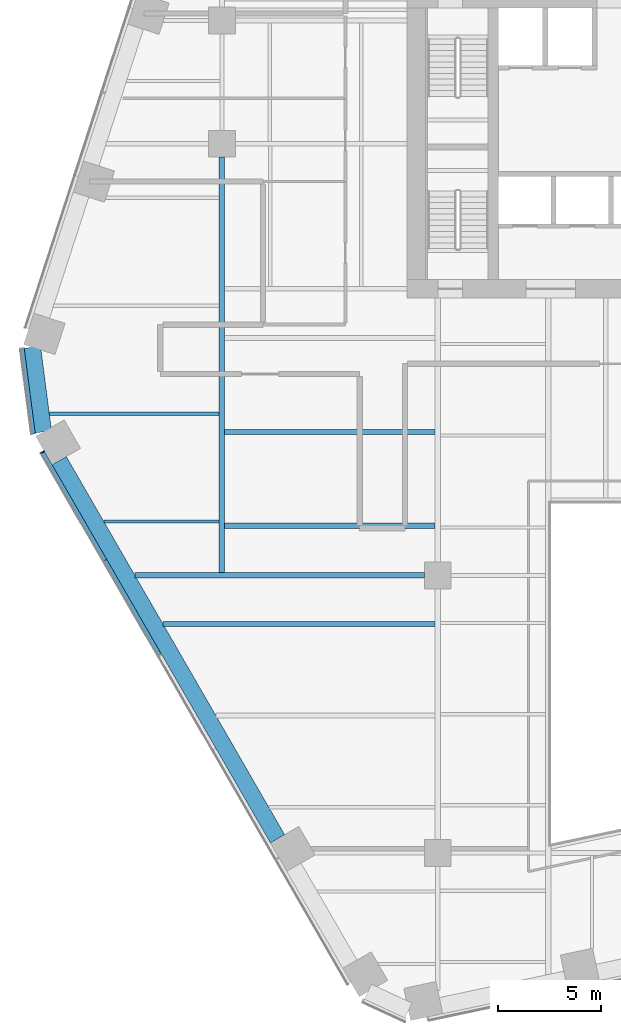
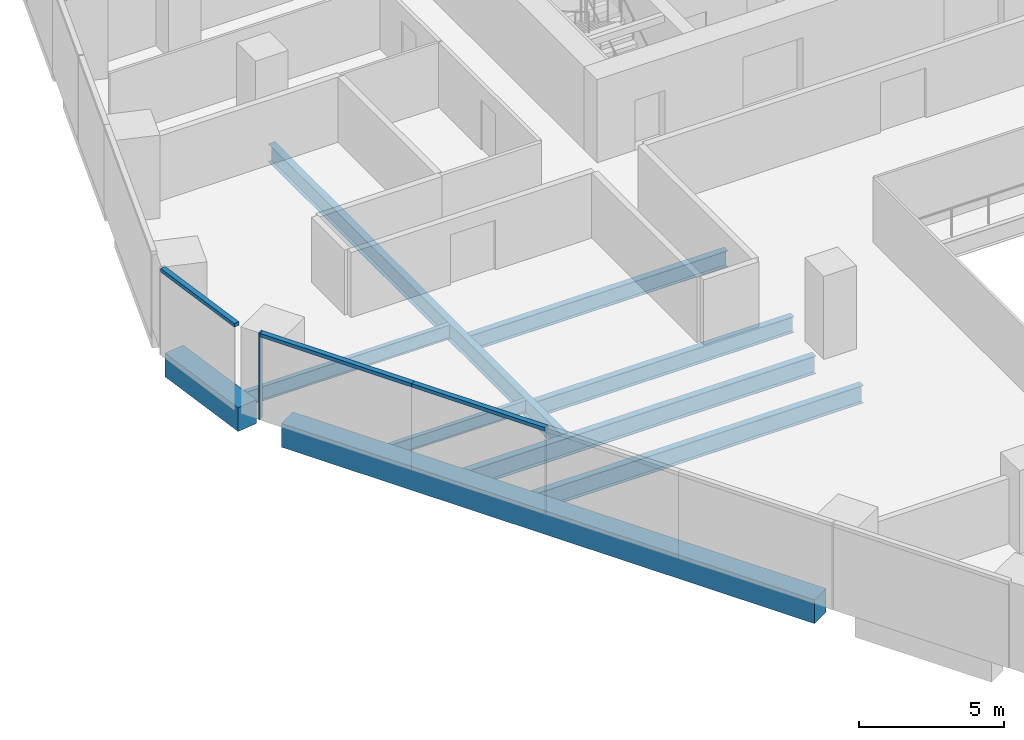
# One storey, part 3 of 21: 9 beams, 4 members, 2 elements without a shape of their own.
"""IFC4 building model written with IfcOpenShell, lengths in metres."""

from ifc_helpers import new_model, si_unit, direction, frame, origin, origin_2d, place, context, subcontext, project, spatial, rectangle, i_section, extrude, material, layer, layer_set, material_profile, profile_set, type_object, element, aggregate, save


model = new_model("IFC4")

# Units and contexts
model_context = context("Model", 3, precision=1e-05, world=origin(), true_north=direction((0.0, 1.0)))
body_context = subcontext(model_context, "Body", "Model", "MODEL_VIEW")
ifc_project = project(units=[si_unit("LENGTHUNIT", "METRE"), si_unit("AREAUNIT", "SQUARE_METRE"), si_unit("VOLUMEUNIT", "CUBIC_METRE"), si_unit("PLANEANGLEUNIT", "RADIAN"), si_unit("MASSUNIT", "GRAM", prefix="KILO")], contexts=[model_context])

# Site, building, storey
site_placement = place(None, origin())
site = spatial("IfcSite", under=ifc_project, at=site_placement, CompositionType="ELEMENT")
building_placement = place(site_placement, origin())
building = spatial("IfcBuilding", under=site, at=building_placement, Name="Isthmus Gate Tower", CompositionType="ELEMENT")
storey_placement = place(building_placement, frame((0.0, 0.0, 102.550048828125)))
storey = spatial("IfcBuildingStorey", under=building, at=storey_placement, Name="L24", CompositionType="ELEMENT", Elevation=102.550048828125)

# Curtain wall, member
ifc_material_1 = material(Name="Aluminium, pale champagne anodised", Category="aluminium")
ifc_layer = layer(ifc_material_1, 0.199951171875)
ifc_layer_set = layer_set([ifc_layer], Name="CW-1 UNITISED CURTAIN WALL 200 DEEP")
curtain_wall_type = type_object("IfcCurtainWallType", Name="CW-1 UNITISED CURTAIN WALL 200 DEEP", PredefinedType="NOTDEFINED", material=ifc_layer_set)
curtain_wall_1_placement = place(storey_placement, origin())
curtain_wall_1 = element("IfcCurtainWall", 1, at=curtain_wall_1_placement, inside=storey, type_object=curtain_wall_type, Name="CW-1 SW L24", PredefinedType="NOTDEFINED")
ifc_material_2 = material(Name="Aluminium, pale champagne anodised", Category="aluminium")
ifc_material_profile_1 = material_profile(ifc_material_2, rectangle(XDim=0.06005859375, YDim=0.199951171875, at=origin_2d()), Name="60x200")
ifc_profile_set_1 = profile_set([ifc_material_profile_1], Name="Aluminium, pale champagne anodised")
member_type_1 = type_object("IfcMemberType", Name="CW-1 MULLION 60 X 200", PredefinedType="MULLION", material=ifc_profile_set_1)
member_1_placement = place(storey_placement, frame((-32.7353515625, -7.500732421875, 0.0), z_axis=(0.0, 0.0, 1.0), x_axis=(0.5, -0.866025403784, 0.0)))
member_1 = element("IfcMember", 2, at=member_1_placement, type_object=member_type_1, Name="CW-1 mullion", PredefinedType="MULLION", context=body_context, shape_type="SweptSolid", body=[
    extrude(rectangle(XDim=0.06005859375, YDim=0.199951171875, at=origin_2d()), origin(), (0.0, 0.0, 1.0), 3.64990234375),
])

curtain_wall_2_placement = place(storey_placement, origin())
curtain_wall_2 = element("IfcCurtainWall", 3, at=curtain_wall_2_placement, inside=storey, type_object=curtain_wall_type, Name="CW-1 NW-SW L24", PredefinedType="NOTDEFINED")
ifc_material_3 = material(Name="Aluminium, pale champagne anodised", Category="aluminium")
ifc_material_profile_2 = material_profile(ifc_material_3, rectangle(XDim=0.199951171875, YDim=0.14990234375, at=origin_2d()), Name="200x150")
ifc_profile_set_2 = profile_set([ifc_material_profile_2], Name="Aluminium, pale champagne anodised")
member_type_2 = type_object("IfcMemberType", Name="CW-1 TRANSOM 200 X 150", PredefinedType="USERDEFINED", material=ifc_profile_set_2)
member_2_placement = place(storey_placement, frame((-33.71923828125, -2.474609375, 3.574951171875), z_axis=(0.129206893318, -0.991617657527, 0.0), x_axis=(0.991617657527, 0.129206893318, 0.0)))
member_2 = element("IfcMember", 4, at=member_2_placement, type_object=member_type_2, Name="CW-1 transom", ObjectType="TRANSOM", PredefinedType="USERDEFINED", context=body_context, shape_type="SweptSolid", body=[
    extrude(rectangle(XDim=0.199951171875, YDim=0.14990234375, at=origin_2d()), origin(), (0.0, 0.0, 1.0), 4.181640625),
])
aggregate(curtain_wall_2, [member_2])

# Member
member_3_placement = place(storey_placement, frame((-32.720458984375, -7.526611328125, 3.574951171875), z_axis=(0.500011280007, -0.866018891171, 0.0), x_axis=(0.866018891171, 0.500011280007, 0.0)))
member_3 = element("IfcMember", 5, at=member_3_placement, type_object=member_type_2, Name="CW-1 transom", ObjectType="TRANSOM", PredefinedType="USERDEFINED", context=body_context, shape_type="SweptSolid", body=[
    extrude(rectangle(XDim=0.199951171875, YDim=0.14990234375, at=origin_2d()), origin(), (0.0, 0.0, 1.0), 6.048583984375),
])

member_4_placement = place(storey_placement, frame((-29.696044921875, -12.764892578125, 3.574951171875), z_axis=(0.499997139945, -0.866027055032, 0.0), x_axis=(0.866027055032, 0.499997139945, 0.0)))
member_4 = element("IfcMember", 6, at=member_4_placement, type_object=member_type_2, Name="CW-1 transom", ObjectType="TRANSOM", PredefinedType="USERDEFINED", context=body_context, shape_type="SweptSolid", body=[
    extrude(rectangle(XDim=0.199951171875, YDim=0.14990234375, at=origin_2d()), origin(), (0.0, 0.0, 1.0), 5.30859375),
])

aggregate(curtain_wall_1, [member_1, member_3, member_4])

# Beams
ifc_material_4 = material(Name="Concrete f'c 70 MPa", Category="concrete")
ifc_material_profile_3 = material_profile(ifc_material_4, rectangle(XDim=0.800048828125, YDim=1.0, at=origin_2d()), Name="RC 800X1000")
ifc_profile_set_3 = profile_set([ifc_material_profile_3], Name="Concrete f'c 70 MPa")
beam_type_1 = type_object("IfcBeamType", Name="RC SPANDREL 800 X 1000", PredefinedType="SPANDREL", material=ifc_profile_set_3)
beam_1_placement = place(storey_placement, frame((-21.300048828125, -26.30712890625, -0.5), z_axis=(-0.499997139945, 0.866027055032, 0.0), x_axis=(-0.866027055032, -0.499997139945, 0.0)))
element("IfcBeam", 7, at=beam_1_placement, inside=storey, type_object=beam_type_1, Name="str-spandrel-L24-16", PredefinedType="SPANDREL", context=body_context, shape_type="SweptSolid", body=[
    extrude(rectangle(XDim=0.800048828125, YDim=1.0, at=origin_2d()), origin(), (0.0, 0.0, 1.0), 21.234375),
])
beam_2_placement = place(storey_placement, frame((-32.6884765625, -6.515380859375, -0.5), z_axis=(-0.129170777359, 0.991622362735, 0.0), x_axis=(-0.991622362735, -0.129170777359, 0.0)))
element("IfcBeam", 8, at=beam_2_placement, inside=storey, type_object=beam_type_1, Name="str-spandrel-L24-17", PredefinedType="SPANDREL", context=body_context, shape_type="SweptSolid", body=[
    extrude(rectangle(XDim=0.800048828125, YDim=1.0, at=origin_2d()), origin(), (0.0, 0.0, 1.0), 4.15234375),
])
ifc_material_5 = material(Name="Structural steel ASTM A992 Gr 50", Category="steel")
ifc_material_profile_4 = material_profile(ifc_material_5, i_section(OverallWidth=0.1650390625, OverallDepth=0.52392578125, WebThickness=0.009521484375, FlangeThickness=0.010986328125, at=origin_2d()), Name="W21X44")
ifc_profile_set_4 = profile_set([ifc_material_profile_4], Name="Structural steel ASTM A992 Gr 50")
beam_type_2 = type_object("IfcBeamType", Name="STEEL FLOOR BEAM W21X44", PredefinedType="JOIST", material=ifc_profile_set_4)
beam_3_placement = place(storey_placement, frame((-29.748046875, -10.875, -0.412109375), z_axis=(1.0, 0.0, 0.0), x_axis=(0.0, 1.0, 0.0)))
element("IfcBeam", 9, at=beam_3_placement, inside=storey, type_object=beam_type_2, Name="str-beam-L24-00-00", PredefinedType="JOIST", context=body_context, shape_type="SweptSolid", body=[
    extrude(i_section(OverallWidth=0.1650390625, OverallDepth=0.52392578125, WebThickness=0.009521484375, FlangeThickness=0.010986328125, at=origin_2d()), origin(), (0.0, 0.0, 1.0), 5.61474609375),
])
ifc_material_6 = material(Name="Structural steel ASTM A992 Gr 50", Category="steel")
ifc_material_profile_5 = material_profile(ifc_material_6, i_section(OverallWidth=0.177734375, OverallDepth=0.60009765625, WebThickness=0.009521484375, FlangeThickness=0.0126953125, at=origin_2d()), Name="W24X55")
ifc_profile_set_5 = profile_set([ifc_material_profile_5], Name="Structural steel ASTM A992 Gr 50")
beam_type_3 = type_object("IfcBeamType", Name="STEEL FLOOR BEAM W24X55", PredefinedType="JOIST", material=ifc_profile_set_5)
beam_4_placement = place(storey_placement, frame((-32.401123046875, -5.625, -0.4501953125), z_axis=(1.0, 0.0, 0.0), x_axis=(0.0, 1.0, 0.0)))
element("IfcBeam", 10, at=beam_4_placement, inside=storey, type_object=beam_type_3, Name="str-beam-L24-00-01", PredefinedType="JOIST", context=body_context, shape_type="SweptSolid", body=[
    extrude(i_section(OverallWidth=0.177734375, OverallDepth=0.60009765625, WebThickness=0.009521484375, FlangeThickness=0.0126953125, at=origin_2d()), origin(), (0.0, 0.0, 1.0), 8.267822265625),
])
ifc_material_7 = material(Name="Structural steel ASTM A992 Gr 50", Category="steel")
ifc_material_profile_6 = material_profile(ifc_material_7, i_section(OverallWidth=0.25390625, OverallDepth=0.679443359375, WebThickness=0.010986328125, FlangeThickness=0.015869140625, at=origin_2d()), Name="W27X84")
ifc_profile_set_6 = profile_set([ifc_material_profile_6], Name="Structural steel ASTM A992 Gr 50")
beam_type_4 = type_object("IfcBeamType", Name="STEEL FLOOR BEAM W27X84", PredefinedType="JOIST", material=ifc_profile_set_6)
for number, where, z_axis, x_axis, name in (
    (11, (-23.86669921875, -11.0830078125, -0.48974609375), (1.0, 0.0, 0.0), (0.0, 1.0, 0.0), "str-beam-L24-08-00"),
    (12, (-23.86669921875, -6.515380859375, -0.48974609375), (1.0, 0.0, 0.0), (0.0, 1.0, 0.0), "str-beam-L24-08-01"),
):
    element("IfcBeam", number, at=place(storey_placement, frame(where, z_axis=z_axis, x_axis=x_axis)), inside=storey, type_object=beam_type_4, Name=name, PredefinedType="JOIST", context=body_context, shape_type="SweptSolid", body=[
        extrude(i_section(OverallWidth=0.25390625, OverallDepth=0.679443359375, WebThickness=0.010986328125, FlangeThickness=0.015869140625, at=origin_2d()), origin(), (0.0, 0.0, 1.0), 10.23486328125),
    ])
ifc_material_8 = material(Name="Structural steel ASTM A992 Gr 50", Category="steel")
ifc_material_profile_7 = material_profile(ifc_material_8, i_section(OverallWidth=0.263427734375, OverallDepth=0.749267578125, WebThickness=0.0126953125, FlangeThickness=0.015869140625, at=origin_2d()), Name="W30X90")
ifc_profile_set_7 = profile_set([ifc_material_profile_7], Name="Structural steel ASTM A992 Gr 50")
beam_type_5 = type_object("IfcBeamType", Name="STEEL FLOOR BEAM W30X90", PredefinedType="JOIST", material=ifc_profile_set_7)
beam_5_placement = place(storey_placement, frame((-26.869140625, -15.861083984375, -0.524658203125), z_axis=(1.0, 0.0, 0.0), x_axis=(0.0, 1.0, 0.0)))
element("IfcBeam", 13, at=beam_5_placement, inside=storey, type_object=beam_type_5, Name="str-beam-L24-06-02", PredefinedType="JOIST", context=body_context, shape_type="SweptSolid", body=[
    extrude(i_section(OverallWidth=0.263427734375, OverallDepth=0.749267578125, WebThickness=0.0126953125, FlangeThickness=0.015869140625, at=origin_2d()), origin(), (0.0, 0.0, 1.0), 13.2373046875),
])
ifc_material_9 = material(Name="Structural steel ASTM A992 Gr 50", Category="steel")
ifc_material_profile_8 = material_profile(ifc_material_9, i_section(OverallWidth=0.2666015625, OverallDepth=0.7587890625, WebThickness=0.014404296875, FlangeThickness=0.01904296875, at=origin_2d()), Name="W30X108")
ifc_profile_set_8 = profile_set([ifc_material_profile_8], Name="Structural steel ASTM A992 Gr 50")
beam_type_6 = type_object("IfcBeamType", Name="STEEL GIRDER W30X108", PredefinedType="BEAM", material=ifc_profile_set_8)
beam_6_placement = place(storey_placement, frame((-28.232421875, -13.5, -0.529541015625), z_axis=(1.0, 0.0, 0.0), x_axis=(0.0, 1.0, 0.0)))
element("IfcBeam", 14, at=beam_6_placement, inside=storey, type_object=beam_type_6, Name="str-girder-L24-05", PredefinedType="BEAM", context=body_context, shape_type="SweptSolid", body=[
    extrude(i_section(OverallWidth=0.2666015625, OverallDepth=0.7587890625, WebThickness=0.014404296875, FlangeThickness=0.01904296875, at=origin_2d()), origin(), (0.0, 0.0, 1.0), 14.08251953125),
])
beam_7_placement = place(storey_placement, frame((-24.0, -13.36669921875, -0.529541015625), z_axis=(0.0, 1.0, 0.0), x_axis=(-1.0, 0.0, 0.0)))
element("IfcBeam", 15, at=beam_7_placement, inside=storey, type_object=beam_type_6, Name="str-girder-L24-21", PredefinedType="BEAM", context=body_context, shape_type="SweptSolid", body=[
    extrude(i_section(OverallWidth=0.2666015625, OverallDepth=0.7587890625, WebThickness=0.014404296875, FlangeThickness=0.01904296875, at=origin_2d()), origin(), (0.0, 0.0, 1.0), 20.216796875),
])

save(model, "model.ifc")
